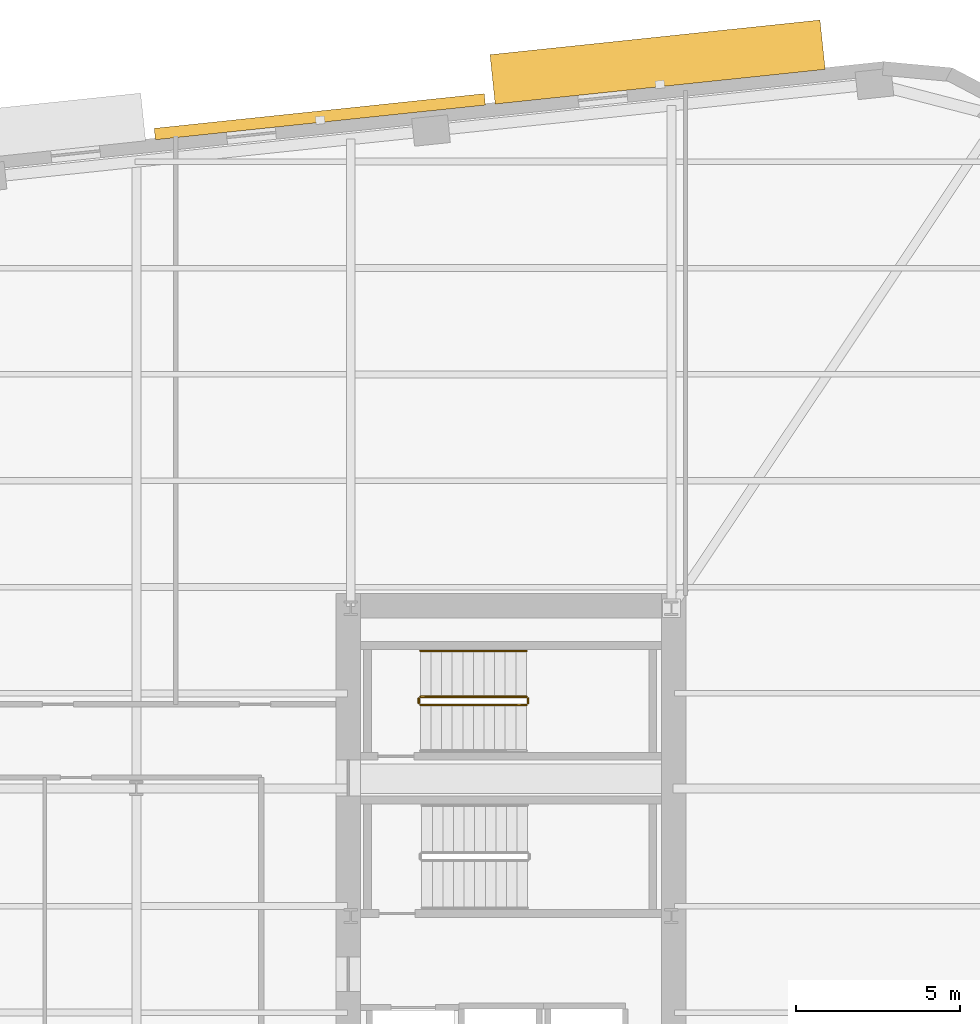
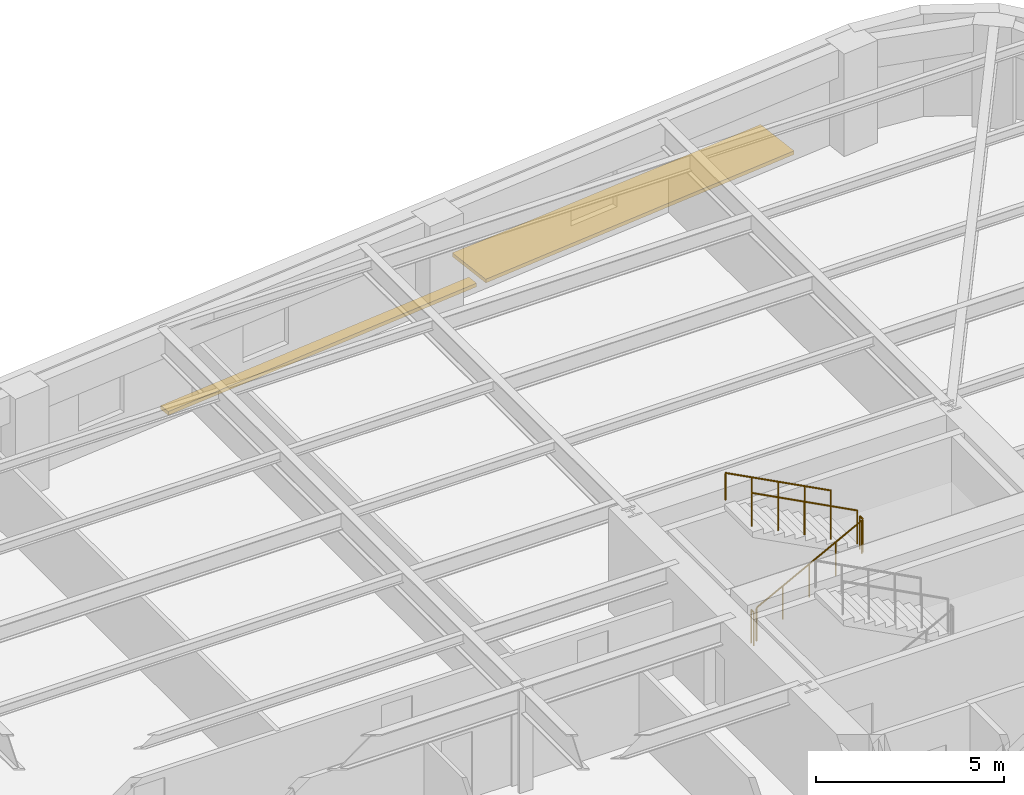
# One storey, part 12 of 12: 5 railings, 2 shading devices.
"""IFC4 building model written with IfcOpenShell, lengths in metres."""

from ifc_helpers import new_model, si_unit, direction, frame, origin, origin_2d, place, context, subcontext, project, spatial, rectangle, circle, extrude, material, type_object, element, save


model = new_model("IFC4")

# Units and contexts
model_context = context("Model", 3, precision=1e-05, world=origin(), true_north=direction((0.0, 1.0)))
body_context = subcontext(model_context, "Body", "Model", "MODEL_VIEW")
ifc_project = project(units=[si_unit("LENGTHUNIT", "METRE"), si_unit("AREAUNIT", "SQUARE_METRE"), si_unit("VOLUMEUNIT", "CUBIC_METRE"), si_unit("PLANEANGLEUNIT", "RADIAN"), si_unit("MASSUNIT", "GRAM", prefix="KILO")], contexts=[model_context])

# Site, building, storey
site_placement = place(None, origin())
site = spatial("IfcSite", under=ifc_project, at=site_placement, CompositionType="ELEMENT")
building_placement = place(site_placement, origin())
building = spatial("IfcBuilding", under=site, at=building_placement, Name="Kolvaren Arena Tower", CompositionType="ELEMENT")
storey_placement = place(building_placement, frame((0.0, 0.0, 149.5)))
storey = spatial("IfcBuildingStorey", under=building, at=storey_placement, Name="L35", CompositionType="ELEMENT", Elevation=149.5)

# Railings
ifc_material_1 = material(Name="Painted galvanized steel", Category="steel")
railing_type_1 = type_object("IfcRailingType", Name="GUARD-ST-110", PredefinedType="GUARDRAIL", material=ifc_material_1)
railing_1_placement = place(storey_placement, frame((52.679931640625, 36.39990234375, 0.17041015625)))
element("IfcRailing", 1, at=railing_1_placement, inside=storey, type_object=railing_type_1, Name="L35 ST-E2 stair guard 1", PredefinedType="GUARDRAIL", context=body_context, shape_type="SweptSolid", body=[
    extrude(circle(Radius=0.02392578125, at=origin_2d()), frame((0.0, 0.0, 1.076171875), z_axis=(0.884993431791, 0.0, 0.465603506952), x_axis=(0.0, 1.0, 0.0)), (0.0, 0.0, 1.0), 3.6611328125),
    extrude(circle(Radius=0.02099609375, at=origin_2d()), origin(), (0.0, 0.0, 1.0), 1.052001953125),
    extrude(circle(Radius=0.02099609375, at=origin_2d()), frame((0.81005859375, 0.0, 0.42626953125)), (0.0, 0.0, 1.0), 1.052001953125),
    extrude(circle(Radius=0.02099609375, at=origin_2d()), frame((1.6201171875, 0.0, 0.852294921875)), (0.0, 0.0, 1.0), 1.052001953125),
    extrude(circle(Radius=0.02099609375, at=origin_2d()), frame((2.429931640625, 0.0, 1.2783203125)), (0.0, 0.0, 1.0), 1.052001953125),
    extrude(circle(Radius=0.02099609375, at=origin_2d()), frame((3.239990234375, 0.0, 1.70458984375)), (0.0, 0.0, 1.0), 1.052001953125),
])
railing_2_placement = place(storey_placement, frame((55.969970703125, 36.449951171875, 1.875)))
element("IfcRailing", 2, at=railing_2_placement, inside=storey, type_object=railing_type_1, Name="L35 ST-E2 stair guard 2", PredefinedType="GUARDRAIL", context=body_context, shape_type="SweptSolid", body=[
    extrude(circle(Radius=0.02392578125, at=origin_2d()), frame((0.0, 0.0, 1.076171875), z_axis=(0.0, 1.0, 0.0), x_axis=(-1.0, 0.0, 0.0)), (0.0, 0.0, 1.0), 0.150146484375),
    extrude(circle(Radius=0.02099609375, at=origin_2d()), origin(), (0.0, 0.0, 1.0), 1.052001953125),
    extrude(circle(Radius=0.02099609375, at=origin_2d()), frame((0.0, 0.150146484375, 0.0)), (0.0, 0.0, 1.0), 1.052001953125),
])
railing_3_placement = place(storey_placement, frame((55.919921875, 36.64990234375, 2.04541015625)))
element("IfcRailing", 3, at=railing_3_placement, inside=storey, type_object=railing_type_1, Name="L35 ST-E2 stair guard 3", PredefinedType="GUARDRAIL", context=body_context, shape_type="SweptSolid", body=[
    extrude(circle(Radius=0.02392578125, at=origin_2d()), frame((0.0, 0.0, 1.076171875), z_axis=(-0.884993431791, 0.0, 0.465603506952), x_axis=(0.0, -1.0, 0.0)), (0.0, 0.0, 1.0), 3.6611328125),
    extrude(circle(Radius=0.02099609375, at=origin_2d()), origin(), (0.0, 0.0, 1.0), 1.052001953125),
    extrude(circle(Radius=0.02099609375, at=origin_2d()), frame((-0.81005859375, 0.0, 0.42626953125)), (0.0, 0.0, 1.0), 1.052001953125),
    extrude(circle(Radius=0.02099609375, at=origin_2d()), frame((-1.6201171875, 0.0, 0.852294921875)), (0.0, 0.0, 1.0), 1.052001953125),
    extrude(circle(Radius=0.02099609375, at=origin_2d()), frame((-2.429931640625, 0.0, 1.2783203125)), (0.0, 0.0, 1.0), 1.052001953125),
    extrude(circle(Radius=0.02099609375, at=origin_2d()), frame((-3.239990234375, 0.0, 1.70458984375)), (0.0, 0.0, 1.0), 1.052001953125),
])
railing_4_placement = place(storey_placement, frame((52.6298828125, 36.449951171875, 0.0)))
element("IfcRailing", 4, at=railing_4_placement, inside=storey, type_object=railing_type_1, Name="L35 ST-E2 stair guard 4", PredefinedType="GUARDRAIL", context=body_context, shape_type="SweptSolid", body=[
    extrude(circle(Radius=0.02392578125, at=origin_2d()), frame((0.0, 0.0, 1.076171875), z_axis=(0.0, 1.0, 0.0), x_axis=(-1.0, 0.0, 0.0)), (0.0, 0.0, 1.0), 0.150146484375),
    extrude(circle(Radius=0.02099609375, at=origin_2d()), origin(), (0.0, 0.0, 1.0), 1.052001953125),
    extrude(circle(Radius=0.02099609375, at=origin_2d()), frame((0.0, 0.150146484375, 0.0)), (0.0, 0.0, 1.0), 1.052001953125),
])
ifc_material_2 = material(Name="Brushed stainless steel handrail", Category="steel")
railing_type_2 = type_object("IfcRailingType", Name="HRAIL-900", PredefinedType="HANDRAIL", material=ifc_material_2)
railing_5_placement = place(storey_placement, frame((55.919921875, 38.050048828125, 2.04541015625)))
element("IfcRailing", 5, at=railing_5_placement, inside=storey, type_object=railing_type_2, Name="L35 ST-E2 stair handrail 2", PredefinedType="HANDRAIL", context=body_context, shape_type="SweptSolid", body=[
    extrude(circle(Radius=0.02392578125, at=origin_2d()), frame((0.0, 0.0, 0.8759765625), z_axis=(-0.884993431791, 0.0, 0.465603506952), x_axis=(0.0, -1.0, 0.0)), (0.0, 0.0, 1.0), 3.6611328125),
    extrude(circle(Radius=0.02099609375, at=origin_2d()), origin(), (0.0, 0.0, 1.0), 0.851806640625),
    extrude(circle(Radius=0.02099609375, at=origin_2d()), frame((-0.81005859375, 0.0, 0.42626953125)), (0.0, 0.0, 1.0), 0.851806640625),
    extrude(circle(Radius=0.02099609375, at=origin_2d()), frame((-1.6201171875, 0.0, 0.852294921875)), (0.0, 0.0, 1.0), 0.851806640625),
    extrude(circle(Radius=0.02099609375, at=origin_2d()), frame((-2.429931640625, 0.0, 1.2783203125)), (0.0, 0.0, 1.0), 0.851806640625),
    extrude(circle(Radius=0.02099609375, at=origin_2d()), frame((-3.239990234375, 0.0, 1.70458984375)), (0.0, 0.0, 1.0), 0.851806640625),
])

# Shading devices
ifc_material_3 = material(Name="Architectural precast GFRC and anodised aluminium sunshade", Category="concrete")
shading_device_type_1 = type_object("IfcShadingDeviceType", Name="SHAD-SINE-A", PredefinedType="USERDEFINED", material=ifc_material_3)
shading_device_1_placement = place(storey_placement, frame((49.60595703125, 54.373779296875, -0.14013671875), z_axis=(0.0, 0.0, 1.0), x_axis=(0.994522077803, 0.104526727499, 0.0)))
element("IfcShadingDevice", 6, at=shading_device_1_placement, inside=storey, type_object=shading_device_type_1, Name="Sinusoidal Slab-Edge Sunshade Louvre (L35)", ObjectType="LOUVRE", PredefinedType="USERDEFINED", context=body_context, shape_type="SweptSolid", body=[
    extrude(rectangle(XDim=10.139892578125, YDim=0.3505859375, at=origin_2d()), origin(), (0.0, 0.0, 1.0), 0.1201171875),
])
shading_device_type_2 = type_object("IfcShadingDeviceType", Name="SHAD-SINE-B", PredefinedType="JALOUSIE", material=ifc_material_3)
shading_device_2_placement = place(storey_placement, frame((59.927734375, 56.044921875, -0.14013671875), z_axis=(0.0, 0.0, 1.0), x_axis=(0.994522077803, 0.104526727499, 0.0)))
element("IfcShadingDevice", 7, at=shading_device_2_placement, inside=storey, type_object=shading_device_type_2, Name="Sinusoidal Slab-Edge Sunshade Louvre (L35)", PredefinedType="JALOUSIE", context=body_context, shape_type="SweptSolid", body=[
    extrude(rectangle(XDim=10.139892578125, YDim=1.51708984375, at=origin_2d()), origin(), (0.0, 0.0, 1.0), 0.1201171875),
])

save(model, "model.ifc")
